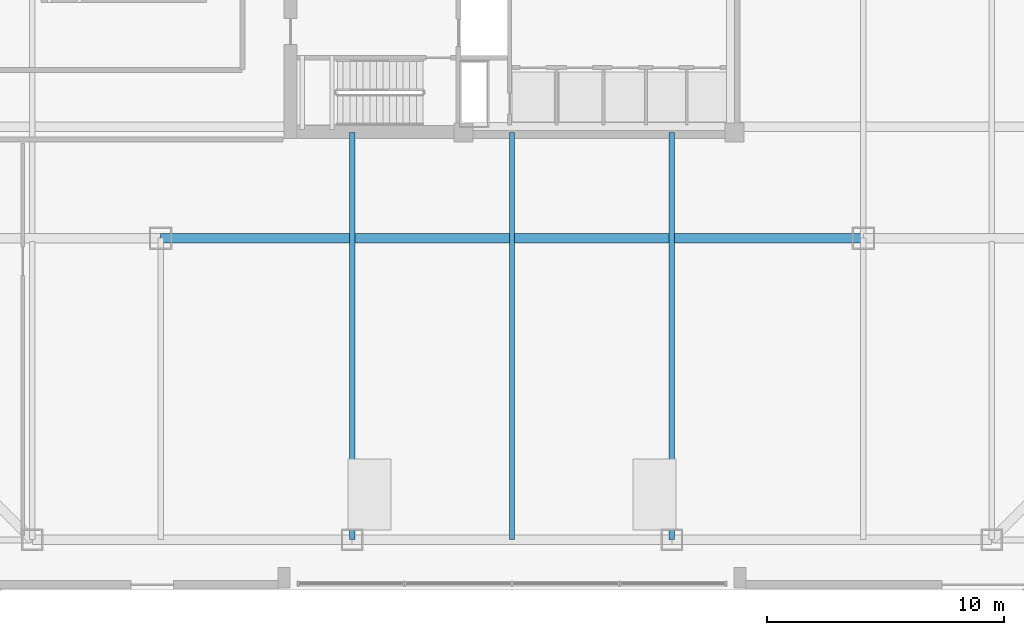
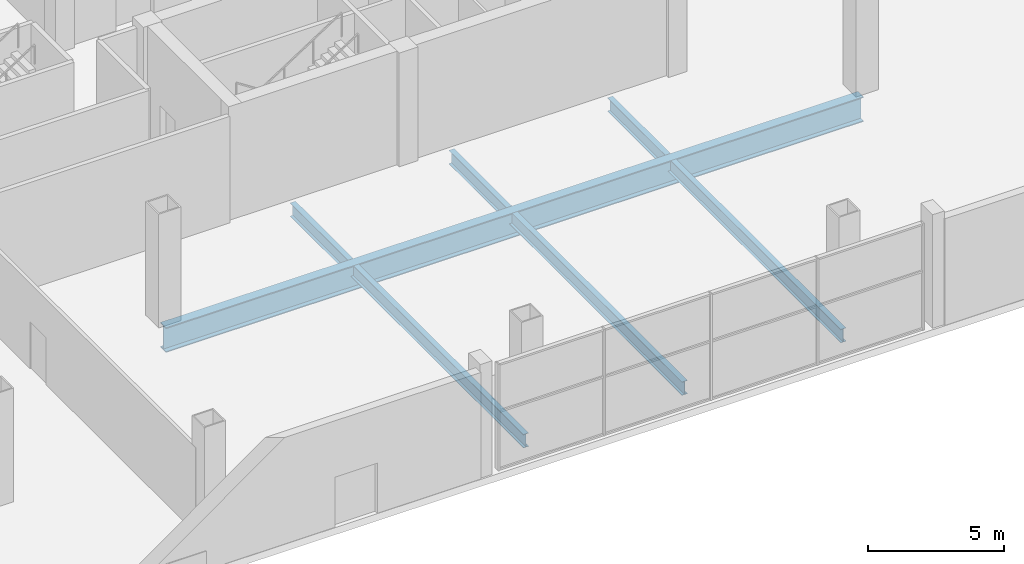
# One storey, part 5 of 21: 4 beams.
"""IFC4 building model written with IfcOpenShell, lengths in metres."""

import ifcopenshell
import ifcopenshell.guid

model = None  # the IFC model being written
_history = None  # IfcOwnerHistory: only IFC2X3 demands one
_inside = {}  # id of a spatial element -> (the spatial element, [elements in it])
_under = {}  # id of a project, library or spatial element -> (it, [spatial elements below it])
_declared = {}  # id of a project -> (the project, [libraries it declares])
_typed = {}  # id of a type object -> (the type object, [elements of that type])
_made_of = {}  # id of a material, layer set ... -> (it, [elements and type objects made of it])


def new_model(schema):
    """Start an empty IFC model of exactly this schema.

    Asked for "IFC4X3", IfcOpenShell would pick the latest addendum, in which some entities
    have other attributes; the version numbers below select the first issue.
    IFC2X3 requires an IfcOwnerHistory on every rooted entity: one is made here for all.
    """
    global model, _history
    if schema == "IFC4X3":
        model = ifcopenshell.file(schema_version=(4, 3, 0, 0))
    else:
        model = ifcopenshell.file(schema=schema)
    _inside.clear()
    _under.clear()
    _declared.clear()
    _typed.clear()
    _made_of.clear()
    _history = None
    if model.schema == "IFC2X3":
        org = make("IfcOrganization", Name="unknown")
        user = make(
            "IfcPersonAndOrganization",
            ThePerson=make("IfcPerson", FamilyName="unknown"),
            TheOrganization=org,
        )
        app = make(
            "IfcApplication",
            ApplicationDeveloper=org,
            Version="unknown",
            ApplicationFullName="unknown",
            ApplicationIdentifier="unknown",
        )
        _history = make(
            "IfcOwnerHistory",
            OwningUser=user,
            OwningApplication=app,
            ChangeAction="ADDED",
            CreationDate=0,
        )
    return model


def make(cls, **values):
    """One entity of the class cls with the attributes given. An attribute that is None is left unset."""
    return model.create_entity(
        cls, **{name: value for name, value in values.items() if value is not None}
    )


def rooted(cls, **values):
    """An entity with a GlobalId (a new one), such as an element, a storey or a relation."""
    return make(cls, GlobalId=ifcopenshell.guid.new(), OwnerHistory=_history, **values)


def si_unit(unit_type, name, prefix=None):
    """IfcSIUnit, for example si_unit("LENGTHUNIT", "METRE", prefix="MILLI")."""
    return make("IfcSIUnit", UnitType=unit_type, Prefix=prefix, Name=name)


def assignment(units):
    """IfcUnitAssignment: the units of a project."""
    return None if units is None else make("IfcUnitAssignment", Units=units)


def point(xyz):
    """IfcCartesianPoint."""
    return None if xyz is None else make("IfcCartesianPoint", Coordinates=xyz)


def direction(xyz):
    """IfcDirection."""
    return None if xyz is None else make("IfcDirection", DirectionRatios=xyz)


def frame(location, z_axis=None, x_axis=None):
    """IfcAxis2Placement3D, a coordinate frame: its origin and axes. An axis left out is left unset."""
    return make(
        "IfcAxis2Placement3D",
        Location=point(location),
        Axis=direction(z_axis),
        RefDirection=direction(x_axis),
    )


def frame_2d(location, x_axis=None):
    """IfcAxis2Placement2D, a coordinate frame in the plane: its origin and x axis."""
    return make(
        "IfcAxis2Placement2D", Location=point(location), RefDirection=direction(x_axis)
    )


def origin():
    """The frame at (0, 0, 0) with its axes left unset."""
    return frame((0.0, 0.0, 0.0))


def origin_2d():
    """The frame at (0, 0) in the plane with its x axis left unset."""
    return frame_2d((0.0, 0.0))


def place(relative_to, where):
    """IfcLocalPlacement: puts the frame where relative to a parent placement (None: the world)."""
    return make(
        "IfcLocalPlacement", PlacementRelTo=relative_to, RelativePlacement=where
    )


def context(
    kind, dimensions, precision=None, world=None, true_north=None, identifier=None
):
    """IfcGeometricRepresentationContext, for example the 3D "Model" context."""
    return make(
        "IfcGeometricRepresentationContext",
        ContextIdentifier=identifier,
        ContextType=kind,
        CoordinateSpaceDimension=dimensions,
        Precision=precision,
        WorldCoordinateSystem=world,
        TrueNorth=true_north,
    )


def subcontext(parent, identifier, kind, view, scale=None):
    """IfcGeometricRepresentationSubContext, for example "Body" below "Model"."""
    return make(
        "IfcGeometricRepresentationSubContext",
        ContextIdentifier=identifier,
        ContextType=kind,
        ParentContext=parent,
        TargetScale=scale,
        TargetView=view,
    )


def project(units=None, contexts=None):
    """IfcProject with its units and contexts."""
    return rooted(
        "IfcProject",
        Name="project",
        RepresentationContexts=contexts,
        UnitsInContext=assignment(units),
    )


def spatial(cls, under=None, at=None, **own):
    """A site, building, storey or space (cls), placed at a placement, below another one or the project."""
    s = rooted(cls, ObjectPlacement=at, **own)
    if under is not None:
        _under.setdefault(under.id(), (under, []))[1].append(s)
    return s


def profile(cls, at=None, kind="AREA", **sizes):
    """A parametric profile (cls). Its sizes go by their IFC names, for example OverallWidth=200.0."""
    return make(cls, ProfileType=kind, Position=at, **sizes)


def i_section(**sizes):
    """IfcIShapeProfileDef."""
    return profile("IfcIShapeProfileDef", **sizes)


def extrude(swept, where, along, depth):
    """IfcExtrudedAreaSolid: the profile swept, set in the frame where, extruded along a direction by depth."""
    return make(
        "IfcExtrudedAreaSolid",
        SweptArea=swept,
        Position=where,
        ExtrudedDirection=direction(along),
        Depth=depth,
    )


def shape(context_of_items, identifier, shape_type, items):
    """IfcShapeRepresentation: the items that make up one representation, for example the "Body"."""
    return make(
        "IfcShapeRepresentation",
        ContextOfItems=context_of_items,
        RepresentationIdentifier=identifier,
        RepresentationType=shape_type,
        Items=items,
    )


def material(Name=None, Category=None):
    """IfcMaterial."""
    return make("IfcMaterial", Name=Name, Category=Category)


def material_profile(
    of_material, cross_section, Name=None, Category=None, Priority=None
):
    """IfcMaterialProfile: a cross section and its material."""
    return make(
        "IfcMaterialProfile",
        Name=Name,
        Material=of_material,
        Profile=cross_section,
        Priority=Priority,
        Category=Category,
    )


def profile_set(profiles, Name=None, composite=None):
    """IfcMaterialProfileSet."""
    return make(
        "IfcMaterialProfileSet",
        Name=Name,
        MaterialProfiles=profiles,
        CompositeProfile=composite,
    )


def made_of(thing, what):
    """Note that an element or type object is made of a material, layer set ...; save() writes the relation."""
    if what is not None:
        _made_of.setdefault(what.id(), (what, []))[1].append(thing)
    return thing


def type_object(cls, material=None, **own):
    """A type object (cls), such as IfcWallType, which elements share."""
    return made_of(rooted(cls, **own), material)


def element(
    cls,
    number,
    at=None,
    inside=None,
    cuts=None,
    type_object=None,
    material=None,
    context=None,
    identifier="Body",
    shape_type=None,
    held_by="IfcProductDefinitionShape",
    body=None,
    shapes=None,
    **own,
):
    """One element of the class cls, such as IfcWall. Its Tag is "e" and its number.

    at: its placement. inside: the storey or other place that contains it. cuts: it is an
    opening in that element (IfcRelVoidsElement). A single representation is given by context,
    identifier, shape_type and body (its items); several are given by shapes. held_by: the class
    of the entity that holds the representations. save() writes the other relations.
    """
    e = rooted(cls, Tag="e%d" % number, ObjectPlacement=at, **own)
    if body is not None:
        shapes = [shape(context, identifier, shape_type, body)]
    if shapes is not None:
        e.Representation = make(held_by, Representations=shapes)
    if inside is not None:
        _inside.setdefault(inside.id(), (inside, []))[1].append(e)
    if cuts is not None:
        rooted(
            "IfcRelVoidsElement", RelatingBuildingElement=cuts, RelatedOpeningElement=e
        )
    if type_object is not None:
        _typed.setdefault(type_object.id(), (type_object, []))[1].append(e)
    return made_of(e, material)


def aggregate(whole, parts):
    """IfcRelAggregates: a whole, such as a stair, and the parts it consists of."""
    return rooted("IfcRelAggregates", RelatingObject=whole, RelatedObjects=parts)


def save(model, path):
    """Write the relations noted so far, then the file.

    IfcRelAggregates (storeys below a building ...), IfcRelContainedInSpatialStructure (elements
    in a storey), IfcRelDefinesByType, IfcRelAssociatesMaterial and IfcRelDeclares: one each for
    every whole, place, type object, material and project.
    """
    for whole, parts in _under.values():
        aggregate(whole, parts)
    for where, things in _inside.values():
        rooted(
            "IfcRelContainedInSpatialStructure",
            RelatedElements=things,
            RelatingStructure=where,
        )
    for kind, things in _typed.values():
        rooted("IfcRelDefinesByType", RelatedObjects=things, RelatingType=kind)
    for what, things in _made_of.values():
        rooted("IfcRelAssociatesMaterial", RelatedObjects=things, RelatingMaterial=what)
    for by, libraries in _declared.values():
        rooted("IfcRelDeclares", RelatingContext=by, RelatedDefinitions=libraries)
    model.write(path)


model = new_model("IFC4")

# Units and contexts
model_context = context("Model", 3, precision=1e-05, world=origin(), true_north=direction((0.0, 1.0)))
body_context = subcontext(model_context, "Body", "Model", "MODEL_VIEW")
ifc_project = project(units=[si_unit("LENGTHUNIT", "METRE"), si_unit("AREAUNIT", "SQUARE_METRE"), si_unit("VOLUMEUNIT", "CUBIC_METRE"), si_unit("PLANEANGLEUNIT", "RADIAN"), si_unit("MASSUNIT", "GRAM", prefix="KILO")], contexts=[model_context])

# Site, building, storey
site_placement = place(None, origin())
site = spatial("IfcSite", under=ifc_project, at=site_placement, CompositionType="ELEMENT")
building_placement = place(site_placement, origin())
building = spatial("IfcBuilding", under=site, at=building_placement, Name="Qhalaya Broadcast Tower", CompositionType="ELEMENT")
storey_placement = place(building_placement, origin())
storey = spatial("IfcBuildingStorey", under=building, at=storey_placement, Name="L00", CompositionType="ELEMENT", Elevation=0.0)

# Beams
ifc_material = material(Name="Structural Steel ASTM A992 Grade 50", Category="steel")
ifc_material_profile_1 = material_profile(ifc_material, i_section(OverallWidth=0.22802734375, OverallDepth=0.60693359375, WebThickness=0.01123046875, FlangeThickness=0.017333984375, at=origin_2d()), Name="W24X76")
ifc_profile_set_1 = profile_set([ifc_material_profile_1], Name="Structural Steel ASTM A992 Grade 50")
beam_type_1 = type_object("IfcBeamType", Name="Composite Floor Joist J01", PredefinedType="JOIST", material=ifc_profile_set_1)
for number, where, z_axis, x_axis, name in (
    (1, (-6.7333984375, -25.89990234375, -0.62353515625), (0.0, 1.0, 0.0), (-1.0, 0.0, 0.0), "L00 J01 L00-JS-CS-6.7"),
    (2, (0.0, -25.89990234375, -0.62353515625), (0.0, 1.0, 0.0), (-1.0, 0.0, 0.0), "L00 J01 L00-JS-CS+0.0"),
    (3, (6.7333984375, -25.89990234375, -0.62353515625), (0.0, 1.0, 0.0), (-1.0, 0.0, 0.0), "L00 J01 L00-JS-CS+6.7"),
):
    element("IfcBeam", number, at=place(storey_placement, frame(where, z_axis=z_axis, x_axis=x_axis)), inside=storey, type_object=beam_type_1, Name=name, PredefinedType="JOIST", context=body_context, shape_type="SweptSolid", body=[
        extrude(i_section(OverallWidth=0.22802734375, OverallDepth=0.60693359375, WebThickness=0.01123046875, FlangeThickness=0.017333984375, at=origin_2d()), origin(), (0.0, 0.0, 1.0), 17.14990234375),
    ])
ifc_material_profile_2 = material_profile(ifc_material, i_section(OverallWidth=0.404052734375, OverallDepth=1.117919921875, WebThickness=0.026123046875, FlangeThickness=0.044921875, at=origin_2d()), Name="W44X335")
ifc_profile_set_2 = profile_set([ifc_material_profile_2], Name="Structural Steel ASTM A992 Grade 50")
beam_type_2 = type_object("IfcBeamType", Name="Podium Long-Span Primary Girder PG1", PredefinedType="USERDEFINED", material=ifc_profile_set_2)
beam_placement = place(storey_placement, frame((-14.800048828125, -13.199951171875, -0.87890625), z_axis=(1.0, 0.0, 0.0), x_axis=(0.0, 1.0, 0.0)))
element("IfcBeam", 4, at=beam_placement, inside=storey, type_object=beam_type_2, Name="L00 PG1 L00-PG-GS3", ObjectType="GIRDER", PredefinedType="USERDEFINED", context=body_context, shape_type="SweptSolid", body=[
    extrude(i_section(OverallWidth=0.404052734375, OverallDepth=1.117919921875, WebThickness=0.026123046875, FlangeThickness=0.044921875, at=origin_2d()), origin(), (0.0, 0.0, 1.0), 29.60009765625),
])

save(model, "model.ifc")
